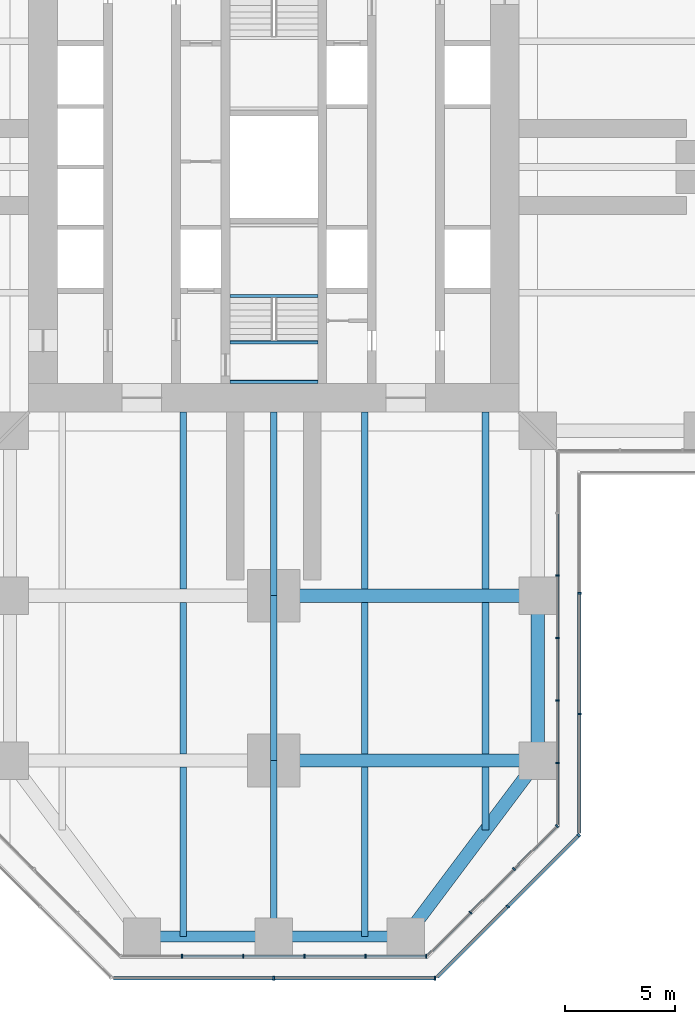
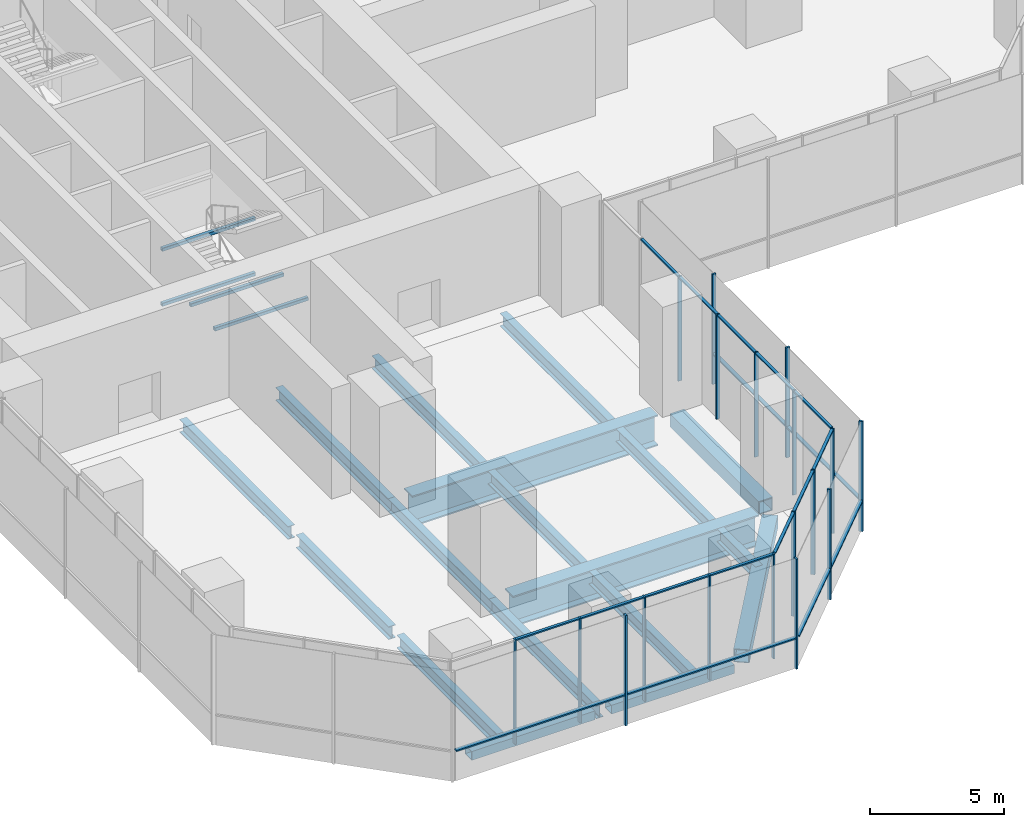
# One storey, part 5 of 23: 36 members, 22 beams, 6 elements without a shape of their own.
"""IFC4 building model written with IfcOpenShell, lengths in metres."""

from ifc_helpers import new_model, si_unit, direction, frame, origin, origin_2d, place, context, subcontext, project, spatial, rectangle, hollow_rectangle, i_section, extrude, material, material_profile, profile_set, type_object, element, aggregate, save


model = new_model("IFC4")

# Units and contexts
model_context = context("Model", 3, precision=1e-05, world=origin(), true_north=direction((0.0, 1.0)))
body_context = subcontext(model_context, "Body", "Model", "MODEL_VIEW")
ifc_project = project(units=[si_unit("LENGTHUNIT", "METRE"), si_unit("AREAUNIT", "SQUARE_METRE"), si_unit("VOLUMEUNIT", "CUBIC_METRE"), si_unit("PLANEANGLEUNIT", "RADIAN"), si_unit("MASSUNIT", "GRAM", prefix="KILO")], contexts=[model_context])

# Site, building, storey
site_placement = place(None, origin())
site = spatial("IfcSite", under=ifc_project, at=site_placement, CompositionType="ELEMENT")
building_placement = place(site_placement, origin())
building = spatial("IfcBuilding", under=site, at=building_placement, Name="Mizan Broadcast Tower", CompositionType="ELEMENT")
storey_placement = place(building_placement, frame((0.0, 0.0, 23.0)))
storey = spatial("IfcBuildingStorey", under=building, at=storey_placement, Name="L03", CompositionType="ELEMENT", Elevation=23.0)

# Beams
ifc_material_1 = material(Name="Steel S355", Category="steel")
ifc_material_profile_1 = material_profile(ifc_material_1, hollow_rectangle(XDim=0.5, YDim=0.39990234375, WallThickness=0.02490234375, at=origin_2d()), Name="BOX 400x500x25")
ifc_profile_set_1 = profile_set([ifc_material_profile_1], Name="Steel S355")
beam_type_1 = type_object("IfcBeamType", Name="EDGE BEAM BOX 400x500x25", PredefinedType="SPANDREL", material=ifc_profile_set_1)
for number, where, z_axis, x_axis, name in (
    (1, (-5.639892578125, -35.0, -0.449951171875), (1.0, 0.0, 0.0), (0.0, 1.0, 0.0), "Edge beam BOX 400x500x25 L03 south arm"),
    (2, (5.639892578125, -35.0, -0.449951171875), (-1.0, 0.0, 0.0), (0.0, -1.0, 0.0), "Edge beam BOX 400x500x25 L03 south arm"),
):
    element("IfcBeam", number, at=place(storey_placement, frame(where, z_axis=z_axis, x_axis=x_axis)), inside=storey, type_object=beam_type_1, Name=name, PredefinedType="SPANDREL", context=body_context, shape_type="SweptSolid", body=[
        extrude(hollow_rectangle(XDim=0.5, YDim=0.39990234375, WallThickness=0.02490234375, at=origin_2d()), origin(), (0.0, 0.0, 1.0), 5.27978515625),
    ])
ifc_material_2 = material(Name="Steel S355", Category="steel")
ifc_material_profile_2 = material_profile(ifc_material_2, hollow_rectangle(XDim=0.60009765625, YDim=0.60009765625, WallThickness=0.030029296875, at=origin_2d()), Name="BOX 600x600x30")
ifc_profile_set_2 = profile_set([ifc_material_profile_2], Name="Steel S355")
beam_type_2 = type_object("IfcBeamType", Name="EDGE BEAM BOX 600x600x30", PredefinedType="SPANDREL", material=ifc_profile_set_2)
beam_1_placement = place(storey_placement, frame((11.639892578125, -27.47998046875, -0.550048828125), z_axis=(-0.599982243973, -0.800013316712, 0.0), x_axis=(0.800013316712, -0.599982243973, 0.0)))
element("IfcBeam", 3, at=beam_1_placement, inside=storey, type_object=beam_type_2, Name="Edge beam BOX 600x600x30 L03 south arm", PredefinedType="SPANDREL", context=body_context, shape_type="SweptSolid", body=[
    extrude(hollow_rectangle(XDim=0.60009765625, YDim=0.60009765625, WallThickness=0.030029296875, at=origin_2d()), origin(), (0.0, 0.0, 1.0), 8.7998046875),
])
ifc_material_3 = material(Name="Steel S355", Category="steel")
ifc_material_profile_3 = material_profile(ifc_material_3, hollow_rectangle(XDim=0.60009765625, YDim=0.60009765625, WallThickness=0.0400390625, at=origin_2d()), Name="BOX 600x600x40")
ifc_profile_set_3 = profile_set([ifc_material_profile_3], Name="Steel S355")
beam_type_3 = type_object("IfcBeamType", Name="EDGE BEAM BOX 600x600x40", PredefinedType="SPANDREL", material=ifc_profile_set_3)
beam_2_placement = place(storey_placement, frame((12.0, -19.949951171875, -0.550048828125), z_axis=(0.0, -1.0, 0.0), x_axis=(1.0, 0.0, 0.0)))
element("IfcBeam", 4, at=beam_2_placement, inside=storey, type_object=beam_type_3, Name="Edge beam BOX 600x600x40 L03 south arm", PredefinedType="SPANDREL", context=body_context, shape_type="SweptSolid", body=[
    extrude(hollow_rectangle(XDim=0.60009765625, YDim=0.60009765625, WallThickness=0.0400390625, at=origin_2d()), origin(), (0.0, 0.0, 1.0), 6.60009765625),
])
ifc_material_4 = material(Name="Steel S460", Category="steel")
ifc_material_profile_4 = material_profile(ifc_material_4, i_section(OverallWidth=0.60009765625, OverallDepth=1.39990234375, WebThickness=0.02490234375, FlangeThickness=0.06005859375, at=origin_2d()), Name="WPG 1400x600")
ifc_profile_set_4 = profile_set([ifc_material_profile_4], Name="Steel S460")
beam_type_4 = type_object("IfcBeamType", Name="GIRDER WPG 1400x600", PredefinedType="BEAM", material=ifc_profile_set_4)
for number, where, z_axis, x_axis, name in (
    (5, (0.719970703125, -19.5, -0.949951171875), (1.0, 0.0, 0.0), (0.0, 1.0, 0.0), "Girder WPG 1400x600 L03 south arm"),
    (6, (0.719970703125, -27.0, -0.949951171875), (1.0, 0.0, 0.0), (0.0, 1.0, 0.0), "Girder WPG 1400x600 L03 south arm"),
):
    element("IfcBeam", number, at=place(storey_placement, frame(where, z_axis=z_axis, x_axis=x_axis)), inside=storey, type_object=beam_type_4, Name=name, PredefinedType="BEAM", context=body_context, shape_type="SweptSolid", body=[
        extrude(i_section(OverallWidth=0.60009765625, OverallDepth=1.39990234375, WebThickness=0.02490234375, FlangeThickness=0.06005859375, at=origin_2d()), origin(), (0.0, 0.0, 1.0), 10.56005859375),
    ])

# Curtain wall, members
ifc_material_5 = material(Name="Aluminium framed glazing", Category="aluminium")
curtain_wall_type_1 = type_object("IfcCurtainWallType", Name="PODIUM CURTAIN WALL", PredefinedType="USERDEFINED", material=ifc_material_5)
curtain_wall_1_placement = place(storey_placement, origin())
curtain_wall_1 = element("IfcCurtainWall", 7, at=curtain_wall_1_placement, inside=storey, type_object=curtain_wall_type_1, Name="Podium curtain wall L03 S end", ObjectType="PODIUM CURTAIN WALL", PredefinedType="USERDEFINED")
ifc_material_6 = material(Name="Aluminium, pale anodised", Category="aluminium")
ifc_material_profile_5 = material_profile(ifc_material_6, rectangle(XDim=0.159912109375, YDim=0.06005859375, at=origin_2d()), Name="MULLION 160x60")
ifc_profile_set_5 = profile_set([ifc_material_profile_5], Name="Aluminium, pale anodised")
member_type_1 = type_object("IfcMemberType", Name="INNER SKIN MULLION 60x160", PredefinedType="MULLION", material=ifc_profile_set_5)
member_1_placement = place(storey_placement, frame((-4.175048828125, -35.89990234375, 0.0), z_axis=(0.0, 0.0, 1.0), x_axis=(0.0, 1.0, 0.0)))
member_1 = element("IfcMember", 8, at=member_1_placement, type_object=member_type_1, Name="Podium curtain wall L03 S end mullion 2", PredefinedType="MULLION", context=body_context, shape_type="SweptSolid", body=[
    extrude(rectangle(XDim=0.159912109375, YDim=0.06005859375, at=origin_2d()), origin(), (0.0, 0.0, 1.0), 4.75),
])
member_2_placement = place(storey_placement, frame((-1.3916015625, -35.89990234375, 0.0), z_axis=(0.0, 0.0, 1.0), x_axis=(0.0, 1.0, 0.0)))
member_2 = element("IfcMember", 9, at=member_2_placement, type_object=member_type_1, Name="Podium curtain wall L03 S end mullion 3", PredefinedType="MULLION", context=body_context, shape_type="SweptSolid", body=[
    extrude(rectangle(XDim=0.159912109375, YDim=0.06005859375, at=origin_2d()), origin(), (0.0, 0.0, 1.0), 4.75),
])
member_3_placement = place(storey_placement, frame((1.3916015625, -35.89990234375, 0.0), z_axis=(0.0, 0.0, 1.0), x_axis=(0.0, 1.0, 0.0)))
member_3 = element("IfcMember", 10, at=member_3_placement, type_object=member_type_1, Name="Podium curtain wall L03 S end mullion 4", PredefinedType="MULLION", context=body_context, shape_type="SweptSolid", body=[
    extrude(rectangle(XDim=0.159912109375, YDim=0.06005859375, at=origin_2d()), origin(), (0.0, 0.0, 1.0), 4.75),
])
member_4_placement = place(storey_placement, frame((4.175048828125, -35.89990234375, 0.0), z_axis=(0.0, 0.0, 1.0), x_axis=(0.0, 1.0, 0.0)))
member_4 = element("IfcMember", 11, at=member_4_placement, type_object=member_type_1, Name="Podium curtain wall L03 S end mullion 5", PredefinedType="MULLION", context=body_context, shape_type="SweptSolid", body=[
    extrude(rectangle(XDim=0.159912109375, YDim=0.06005859375, at=origin_2d()), origin(), (0.0, 0.0, 1.0), 4.75),
])
member_5_placement = place(storey_placement, frame((6.928466796875, -35.89990234375, 0.0), z_axis=(0.0, 0.0, 1.0), x_axis=(0.0, 1.0, 0.0)))
member_5 = element("IfcMember", 12, at=member_5_placement, type_object=member_type_1, Name="Podium curtain wall L03 S end mullion 6", PredefinedType="MULLION", context=body_context, shape_type="SweptSolid", body=[
    extrude(rectangle(XDim=0.159912109375, YDim=0.06005859375, at=origin_2d()), origin(), (0.0, 0.0, 1.0), 4.75),
])

curtain_wall_2_placement = place(storey_placement, origin())
curtain_wall_2 = element("IfcCurtainWall", 13, at=curtain_wall_2_placement, inside=storey, type_object=curtain_wall_type_1, Name="Podium curtain wall L03 S chamfer", ObjectType="PODIUM CURTAIN WALL", PredefinedType="USERDEFINED")
member_6_placement = place(storey_placement, frame((8.93896484375, -33.91943359375, 0.0), z_axis=(0.0, 0.0, 1.0), x_axis=(-0.707106781187, 0.707106781187, 0.0)))
member_6 = element("IfcMember", 14, at=member_6_placement, type_object=member_type_1, Name="Podium curtain wall L03 S chamfer mullion 2", PredefinedType="MULLION", context=body_context, shape_type="SweptSolid", body=[
    extrude(rectangle(XDim=0.159912109375, YDim=0.06005859375, at=origin_2d()), origin(), (0.0, 0.0, 1.0), 4.75),
])
member_7_placement = place(storey_placement, frame((10.91943359375, -31.93896484375, 0.0), z_axis=(0.0, 0.0, 1.0), x_axis=(-0.707106781187, 0.707106781187, 0.0)))
member_7 = element("IfcMember", 15, at=member_7_placement, type_object=member_type_1, Name="Podium curtain wall L03 S chamfer mullion 3", PredefinedType="MULLION", context=body_context, shape_type="SweptSolid", body=[
    extrude(rectangle(XDim=0.159912109375, YDim=0.06005859375, at=origin_2d()), origin(), (0.0, 0.0, 1.0), 4.75),
])
member_8_placement = place(storey_placement, frame((12.87890625, -29.979736328125, 0.0), z_axis=(0.0, 0.0, 1.0), x_axis=(-0.707106781187, 0.707106781187, 0.0)))
member_8 = element("IfcMember", 16, at=member_8_placement, type_object=member_type_1, Name="Podium curtain wall L03 S chamfer mullion 4", PredefinedType="MULLION", context=body_context, shape_type="SweptSolid", body=[
    extrude(rectangle(XDim=0.159912109375, YDim=0.06005859375, at=origin_2d()), origin(), (0.0, 0.0, 1.0), 4.75),
])

curtain_wall_3_placement = place(storey_placement, origin())
curtain_wall_3 = element("IfcCurtainWall", 17, at=curtain_wall_3_placement, inside=storey, type_object=curtain_wall_type_1, Name="Podium curtain wall L03 S side", ObjectType="PODIUM CURTAIN WALL", PredefinedType="USERDEFINED")
member_9_placement = place(storey_placement, frame((12.89990234375, -27.115478515625, 0.0), z_axis=(0.0, 0.0, 1.0), x_axis=(-1.0, 0.0, 0.0)))
member_9 = element("IfcMember", 18, at=member_9_placement, type_object=member_type_1, Name="Podium curtain wall L03 S side mullion 2", PredefinedType="MULLION", context=body_context, shape_type="SweptSolid", body=[
    extrude(rectangle(XDim=0.159912109375, YDim=0.06005859375, at=origin_2d()), origin(), (0.0, 0.0, 1.0), 4.75),
])
member_10_placement = place(storey_placement, frame((12.89990234375, -24.2724609375, 0.0), z_axis=(0.0, 0.0, 1.0), x_axis=(-1.0, 0.0, 0.0)))
member_10 = element("IfcMember", 19, at=member_10_placement, type_object=member_type_1, Name="Podium curtain wall L03 S side mullion 3", PredefinedType="MULLION", context=body_context, shape_type="SweptSolid", body=[
    extrude(rectangle(XDim=0.159912109375, YDim=0.06005859375, at=origin_2d()), origin(), (0.0, 0.0, 1.0), 4.75),
])
member_11_placement = place(storey_placement, frame((12.89990234375, -21.42919921875, 0.0), z_axis=(0.0, 0.0, 1.0), x_axis=(-1.0, 0.0, 0.0)))
member_11 = element("IfcMember", 20, at=member_11_placement, type_object=member_type_1, Name="Podium curtain wall L03 S side mullion 4", PredefinedType="MULLION", context=body_context, shape_type="SweptSolid", body=[
    extrude(rectangle(XDim=0.159912109375, YDim=0.06005859375, at=origin_2d()), origin(), (0.0, 0.0, 1.0), 4.75),
])
member_12_placement = place(storey_placement, frame((12.89990234375, -18.586181640625, 0.0), z_axis=(0.0, 0.0, 1.0), x_axis=(-1.0, 0.0, 0.0)))
member_12 = element("IfcMember", 21, at=member_12_placement, type_object=member_type_1, Name="Podium curtain wall L03 S side mullion 5", PredefinedType="MULLION", context=body_context, shape_type="SweptSolid", body=[
    extrude(rectangle(XDim=0.159912109375, YDim=0.06005859375, at=origin_2d()), origin(), (0.0, 0.0, 1.0), 4.75),
])

# Member
ifc_material_7 = material(Name="Aluminium, pale anodised", Category="aluminium")
ifc_material_profile_6 = material_profile(ifc_material_7, rectangle(XDim=0.1201171875, YDim=0.06005859375, at=origin_2d()), Name="TRANSOM 120x60")
ifc_profile_set_6 = profile_set([ifc_material_profile_6], Name="Aluminium, pale anodised")
member_type_2 = type_object("IfcMemberType", Name="INNER SKIN TRANSOM 60x120", PredefinedType="USERDEFINED", material=ifc_profile_set_6)
member_13_placement = place(storey_placement, frame((-4.145263671875, -35.89990234375, 4.719970703125), z_axis=(1.0, 0.0, 0.0), x_axis=(0.0, 1.0, 0.0)))
member_13 = element("IfcMember", 22, at=member_13_placement, type_object=member_type_2, Name="Podium curtain wall L03 S end transom 2.1", ObjectType="TRANSOM", PredefinedType="USERDEFINED", context=body_context, shape_type="SweptSolid", body=[
    extrude(rectangle(XDim=0.1201171875, YDim=0.06005859375, at=origin_2d()), origin(), (0.0, 0.0, 1.0), 2.7236328125),
])

member_14_placement = place(storey_placement, frame((-1.36181640625, -35.89990234375, 4.719970703125), z_axis=(1.0, 0.0, 0.0), x_axis=(0.0, 1.0, 0.0)))
member_14 = element("IfcMember", 23, at=member_14_placement, type_object=member_type_2, Name="Podium curtain wall L03 S end transom 3.1", ObjectType="TRANSOM", PredefinedType="USERDEFINED", context=body_context, shape_type="SweptSolid", body=[
    extrude(rectangle(XDim=0.1201171875, YDim=0.06005859375, at=origin_2d()), origin(), (0.0, 0.0, 1.0), 2.7236328125),
])

member_15_placement = place(storey_placement, frame((1.421630859375, -35.89990234375, 4.719970703125), z_axis=(1.0, 0.0, 0.0), x_axis=(0.0, 1.0, 0.0)))
member_15 = element("IfcMember", 24, at=member_15_placement, type_object=member_type_2, Name="Podium curtain wall L03 S end transom 4.1", ObjectType="TRANSOM", PredefinedType="USERDEFINED", context=body_context, shape_type="SweptSolid", body=[
    extrude(rectangle(XDim=0.1201171875, YDim=0.06005859375, at=origin_2d()), origin(), (0.0, 0.0, 1.0), 2.7236328125),
])

member_16_placement = place(storey_placement, frame((4.205078125, -35.89990234375, 4.719970703125), z_axis=(1.0, 0.0, 0.0), x_axis=(0.0, 1.0, 0.0)))
member_16 = element("IfcMember", 25, at=member_16_placement, type_object=member_type_2, Name="Podium curtain wall L03 S end transom 5.1", ObjectType="TRANSOM", PredefinedType="USERDEFINED", context=body_context, shape_type="SweptSolid", body=[
    extrude(rectangle(XDim=0.1201171875, YDim=0.06005859375, at=origin_2d()), origin(), (0.0, 0.0, 1.0), 2.693603515625),
])

aggregate(curtain_wall_1, [member_1, member_2, member_3, member_4, member_5, member_13, member_14, member_15, member_16])

member_17_placement = place(storey_placement, frame((7.0009765625, -35.857666015625, 4.719970703125), z_axis=(0.707061749709, 0.707151809797, 0.0), x_axis=(-0.707151809797, 0.707061749709, 0.0)))
member_17 = element("IfcMember", 26, at=member_17_placement, type_object=member_type_2, Name="Podium curtain wall L03 S chamfer transom 1.1", ObjectType="TRANSOM", PredefinedType="USERDEFINED", context=body_context, shape_type="SweptSolid", body=[
    extrude(rectangle(XDim=0.1201171875, YDim=0.06005859375, at=origin_2d()), origin(), (0.0, 0.0, 1.0), 2.7109375),
])

member_18_placement = place(storey_placement, frame((8.960205078125, -33.898193359375, 4.719970703125), z_axis=(0.707106781187, 0.707106781187, 0.0), x_axis=(-0.707106781187, 0.707106781187, 0.0)))
member_18 = element("IfcMember", 27, at=member_18_placement, type_object=member_type_2, Name="Podium curtain wall L03 S chamfer transom 2.1", ObjectType="TRANSOM", PredefinedType="USERDEFINED", context=body_context, shape_type="SweptSolid", body=[
    extrude(rectangle(XDim=0.1201171875, YDim=0.06005859375, at=origin_2d()), origin(), (0.0, 0.0, 1.0), 2.74072265625),
])

member_19_placement = place(storey_placement, frame((10.940673828125, -31.917724609375, 4.719970703125), z_axis=(0.707151809797, 0.707061749709, 0.0), x_axis=(-0.707061749709, 0.707151809797, 0.0)))
member_19 = element("IfcMember", 28, at=member_19_placement, type_object=member_type_2, Name="Podium curtain wall L03 S chamfer transom 3.1", ObjectType="TRANSOM", PredefinedType="USERDEFINED", context=body_context, shape_type="SweptSolid", body=[
    extrude(rectangle(XDim=0.1201171875, YDim=0.06005859375, at=origin_2d()), origin(), (0.0, 0.0, 1.0), 2.7109375),
])

aggregate(curtain_wall_2, [member_6, member_7, member_8, member_17, member_18, member_19])

member_20_placement = place(storey_placement, frame((12.89990234375, -29.898681640625, 4.719970703125), z_axis=(0.0, 1.0, 0.0), x_axis=(-1.0, 0.0, 0.0)))
member_20 = element("IfcMember", 29, at=member_20_placement, type_object=member_type_2, Name="Podium curtain wall L03 S side transom 1.1", ObjectType="TRANSOM", PredefinedType="USERDEFINED", context=body_context, shape_type="SweptSolid", body=[
    extrude(rectangle(XDim=0.1201171875, YDim=0.06005859375, at=origin_2d()), origin(), (0.0, 0.0, 1.0), 2.753173828125),
])

member_21_placement = place(storey_placement, frame((12.89990234375, -27.08544921875, 4.719970703125), z_axis=(0.0, 1.0, 0.0), x_axis=(-1.0, 0.0, 0.0)))
member_21 = element("IfcMember", 30, at=member_21_placement, type_object=member_type_2, Name="Podium curtain wall L03 S side transom 2.1", ObjectType="TRANSOM", PredefinedType="USERDEFINED", context=body_context, shape_type="SweptSolid", body=[
    extrude(rectangle(XDim=0.1201171875, YDim=0.06005859375, at=origin_2d()), origin(), (0.0, 0.0, 1.0), 2.782958984375),
])

member_22_placement = place(storey_placement, frame((12.89990234375, -24.242431640625, 4.719970703125), z_axis=(0.0, 1.0, 0.0), x_axis=(-1.0, 0.0, 0.0)))
member_22 = element("IfcMember", 31, at=member_22_placement, type_object=member_type_2, Name="Podium curtain wall L03 S side transom 3.1", ObjectType="TRANSOM", PredefinedType="USERDEFINED", context=body_context, shape_type="SweptSolid", body=[
    extrude(rectangle(XDim=0.1201171875, YDim=0.06005859375, at=origin_2d()), origin(), (0.0, 0.0, 1.0), 2.783203125),
])

member_23_placement = place(storey_placement, frame((12.89990234375, -21.399169921875, 4.719970703125), z_axis=(0.0, 1.0, 0.0), x_axis=(-1.0, 0.0, 0.0)))
member_23 = element("IfcMember", 32, at=member_23_placement, type_object=member_type_2, Name="Podium curtain wall L03 S side transom 4.1", ObjectType="TRANSOM", PredefinedType="USERDEFINED", context=body_context, shape_type="SweptSolid", body=[
    extrude(rectangle(XDim=0.1201171875, YDim=0.06005859375, at=origin_2d()), origin(), (0.0, 0.0, 1.0), 2.782958984375),
])

member_24_placement = place(storey_placement, frame((12.89990234375, -18.55615234375, 4.719970703125), z_axis=(0.0, 1.0, 0.0), x_axis=(-1.0, 0.0, 0.0)))
member_24 = element("IfcMember", 33, at=member_24_placement, type_object=member_type_2, Name="Podium curtain wall L03 S side transom 5.1", ObjectType="TRANSOM", PredefinedType="USERDEFINED", context=body_context, shape_type="SweptSolid", body=[
    extrude(rectangle(XDim=0.1201171875, YDim=0.06005859375, at=origin_2d()), origin(), (0.0, 0.0, 1.0), 2.782958984375),
])

aggregate(curtain_wall_3, [member_9, member_10, member_11, member_12, member_20, member_21, member_22, member_23, member_24])

# Beams
ifc_material_8 = material(Name="Steel S355", Category="steel")
ifc_material_profile_7 = material_profile(ifc_material_8, hollow_rectangle(XDim=0.14990234375, YDim=0.14990234375, WallThickness=0.008056640625, InnerFilletRadius=0.008056640625, OuterFilletRadius=0.011962890625, at=origin_2d()), Name="SHS 150x150x8")
ifc_profile_set_7 = profile_set([ifc_material_profile_7], Name="Steel S355")
beam_type_5 = type_object("IfcBeamType", Name="LANDING TRIMMER SHS 150x150x8", PredefinedType="BEAM", material=ifc_profile_set_7)
for number, where, z_axis, x_axis, name in (
    (34, (-2.0, -5.864990234375, 0.97509765625), (1.0, 0.0, 0.0), (0.0, 1.0, 0.0), "Stair A landing trimmer L03"),
    (35, (-2.0, -9.77490234375, 2.22509765625), (1.0, 0.0, 0.0), (0.0, 1.0, 0.0), "Stair A landing trimmer L03"),
    (36, (-2.0, -7.97509765625, 2.22509765625), (1.0, 0.0, 0.0), (0.0, 1.0, 0.0), "Stair A landing trimmer L03"),
    (37, (-2.0, -5.864990234375, 3.47509765625), (1.0, 0.0, 0.0), (0.0, 1.0, 0.0), "Stair A landing trimmer L03"),
):
    element("IfcBeam", number, at=place(storey_placement, frame(where, z_axis=z_axis, x_axis=x_axis)), inside=storey, type_object=beam_type_5, Name=name, PredefinedType="BEAM", context=body_context, shape_type="SweptSolid", body=[
        extrude(hollow_rectangle(XDim=0.14990234375, YDim=0.14990234375, WallThickness=0.008056640625, InnerFilletRadius=0.008056640625, OuterFilletRadius=0.011962890625, at=origin_2d()), origin(), (0.0, 0.0, 1.0), 4.0),
    ])

# Curtain wall, members
ifc_material_9 = material(Name="Aluminium framed glazing", Category="aluminium")
curtain_wall_type_2 = type_object("IfcCurtainWallType", Name="OUTER SKIN", PredefinedType="USERDEFINED", material=ifc_material_9)
curtain_wall_4_placement = place(storey_placement, origin())
curtain_wall_4 = element("IfcCurtainWall", 38, at=curtain_wall_4_placement, inside=storey, type_object=curtain_wall_type_2, Name="Outer skin L03 S end", ObjectType="OUTER SKIN", PredefinedType="USERDEFINED")
ifc_material_10 = material(Name="Aluminium, pale anodised", Category="aluminium")
ifc_material_profile_8 = material_profile(ifc_material_10, rectangle(XDim=0.159912109375, YDim=0.080078125, at=origin_2d()), Name="MULLION 160x80")
ifc_profile_set_8 = profile_set([ifc_material_profile_8], Name="Aluminium, pale anodised")
member_type_3 = type_object("IfcMemberType", Name="OUTER SKIN MULLION 80x160", PredefinedType="MULLION", material=ifc_profile_set_8)
member_25_placement = place(storey_placement, frame((0.0, -36.89990234375, 0.0), z_axis=(0.0, 0.0, 1.0), x_axis=(0.0, 1.0, 0.0)))
member_25 = element("IfcMember", 39, at=member_25_placement, type_object=member_type_3, Name="Outer skin L03 S end mullion 2", PredefinedType="MULLION", context=body_context, shape_type="SweptSolid", body=[
    extrude(rectangle(XDim=0.159912109375, YDim=0.080078125, at=origin_2d()), origin(), (0.0, 0.0, 1.0), 5.0),
])
member_26_placement = place(storey_placement, frame((7.332763671875, -36.89990234375, 0.0), z_axis=(0.0, 0.0, 1.0), x_axis=(0.0, 1.0, 0.0)))
member_26 = element("IfcMember", 40, at=member_26_placement, type_object=member_type_3, Name="Outer skin L03 S end mullion 3", PredefinedType="MULLION", context=body_context, shape_type="SweptSolid", body=[
    extrude(rectangle(XDim=0.159912109375, YDim=0.080078125, at=origin_2d()), origin(), (0.0, 0.0, 1.0), 5.0),
])

curtain_wall_5_placement = place(storey_placement, origin())
curtain_wall_5 = element("IfcCurtainWall", 41, at=curtain_wall_5_placement, inside=storey, type_object=curtain_wall_type_2, Name="Outer skin L03 S chamfer", ObjectType="OUTER SKIN", PredefinedType="USERDEFINED")
member_27_placement = place(storey_placement, frame((10.636474609375, -33.636474609375, 0.0), z_axis=(0.0, 0.0, 1.0), x_axis=(-0.707106781187, 0.707106781187, 0.0)))
member_27 = element("IfcMember", 42, at=member_27_placement, type_object=member_type_3, Name="Outer skin L03 S chamfer mullion 2", PredefinedType="MULLION", context=body_context, shape_type="SweptSolid", body=[
    extrude(rectangle(XDim=0.159912109375, YDim=0.080078125, at=origin_2d()), origin(), (0.0, 0.0, 1.0), 5.0),
])
member_28_placement = place(storey_placement, frame((13.871826171875, -30.401123046875, 0.0), z_axis=(0.0, 0.0, 1.0), x_axis=(-0.707106781187, 0.707106781187, 0.0)))
member_28 = element("IfcMember", 43, at=member_28_placement, type_object=member_type_3, Name="Outer skin L03 S chamfer mullion 3", PredefinedType="MULLION", context=body_context, shape_type="SweptSolid", body=[
    extrude(rectangle(XDim=0.159912109375, YDim=0.080078125, at=origin_2d()), origin(), (0.0, 0.0, 1.0), 5.0),
])

curtain_wall_6_placement = place(storey_placement, origin())
curtain_wall_6 = element("IfcCurtainWall", 44, at=curtain_wall_6_placement, inside=storey, type_object=curtain_wall_type_2, Name="Outer skin L03 S side", ObjectType="OUTER SKIN", PredefinedType="USERDEFINED")
member_29_placement = place(storey_placement, frame((13.89990234375, -24.8818359375, 0.0), z_axis=(0.0, 0.0, 1.0), x_axis=(-1.0, 0.0, 0.0)))
member_29 = element("IfcMember", 45, at=member_29_placement, type_object=member_type_3, Name="Outer skin L03 S side mullion 2", PredefinedType="MULLION", context=body_context, shape_type="SweptSolid", body=[
    extrude(rectangle(XDim=0.159912109375, YDim=0.080078125, at=origin_2d()), origin(), (0.0, 0.0, 1.0), 5.0),
])
member_30_placement = place(storey_placement, frame((13.89990234375, -19.390869140625, 0.0), z_axis=(0.0, 0.0, 1.0), x_axis=(-1.0, 0.0, 0.0)))
member_30 = element("IfcMember", 46, at=member_30_placement, type_object=member_type_3, Name="Outer skin L03 S side mullion 3", PredefinedType="MULLION", context=body_context, shape_type="SweptSolid", body=[
    extrude(rectangle(XDim=0.159912109375, YDim=0.080078125, at=origin_2d()), origin(), (0.0, 0.0, 1.0), 5.0),
])

# Member
ifc_material_11 = material(Name="Aluminium, pale anodised", Category="aluminium")
ifc_material_profile_9 = material_profile(ifc_material_11, rectangle(XDim=0.159912109375, YDim=0.06005859375, at=origin_2d()), Name="TRANSOM 160x60")
ifc_profile_set_9 = profile_set([ifc_material_profile_9], Name="Aluminium, pale anodised")
member_type_4 = type_object("IfcMemberType", Name="OUTER SKIN TRANSOM 60x160", PredefinedType="USERDEFINED", material=ifc_profile_set_9)
member_31_placement = place(storey_placement, frame((-7.292724609375, -36.89990234375, 1.39990234375), z_axis=(1.0, 0.0, 0.0), x_axis=(0.0, 1.0, 0.0)))
member_31 = element("IfcMember", 47, at=member_31_placement, type_object=member_type_4, Name="Outer skin L03 S end transom 1.1", ObjectType="TRANSOM", PredefinedType="USERDEFINED", context=body_context, shape_type="SweptSolid", body=[
    extrude(rectangle(XDim=0.159912109375, YDim=0.06005859375, at=origin_2d()), origin(), (0.0, 0.0, 1.0), 7.252685546875),
])

member_32_placement = place(storey_placement, frame((0.0400390625, -36.89990234375, 1.39990234375), z_axis=(1.0, 0.0, 0.0), x_axis=(0.0, 1.0, 0.0)))
member_32 = element("IfcMember", 48, at=member_32_placement, type_object=member_type_4, Name="Outer skin L03 S end transom 2.1", ObjectType="TRANSOM", PredefinedType="USERDEFINED", context=body_context, shape_type="SweptSolid", body=[
    extrude(rectangle(XDim=0.159912109375, YDim=0.06005859375, at=origin_2d()), origin(), (0.0, 0.0, 1.0), 7.252685546875),
])

aggregate(curtain_wall_4, [member_25, member_26, member_31, member_32])

member_33_placement = place(storey_placement, frame((7.429443359375, -36.843505859375, 1.39990234375), z_axis=(0.707106781187, 0.707106781187, 0.0), x_axis=(-0.707106781187, 0.707106781187, 0.0)))
member_33 = element("IfcMember", 49, at=member_33_placement, type_object=member_type_4, Name="Outer skin L03 S chamfer transom 1.1", ObjectType="TRANSOM", PredefinedType="USERDEFINED", context=body_context, shape_type="SweptSolid", body=[
    extrude(rectangle(XDim=0.159912109375, YDim=0.06005859375, at=origin_2d()), origin(), (0.0, 0.0, 1.0), 4.495361328125),
])

member_34_placement = place(storey_placement, frame((10.664794921875, -33.608154296875, 1.39990234375), z_axis=(0.707106781187, 0.707106781187, 0.0), x_axis=(-0.707106781187, 0.707106781187, 0.0)))
member_34 = element("IfcMember", 50, at=member_34_placement, type_object=member_type_4, Name="Outer skin L03 S chamfer transom 2.1", ObjectType="TRANSOM", PredefinedType="USERDEFINED", context=body_context, shape_type="SweptSolid", body=[
    extrude(rectangle(XDim=0.159912109375, YDim=0.06005859375, at=origin_2d()), origin(), (0.0, 0.0, 1.0), 4.495361328125),
])

aggregate(curtain_wall_5, [member_27, member_28, member_33, member_34])

member_35_placement = place(storey_placement, frame((13.89990234375, -30.292724609375, 1.39990234375), z_axis=(0.0, 1.0, 0.0), x_axis=(-1.0, 0.0, 0.0)))
member_35 = element("IfcMember", 51, at=member_35_placement, type_object=member_type_4, Name="Outer skin L03 S side transom 1.1", ObjectType="TRANSOM", PredefinedType="USERDEFINED", context=body_context, shape_type="SweptSolid", body=[
    extrude(rectangle(XDim=0.159912109375, YDim=0.06005859375, at=origin_2d()), origin(), (0.0, 0.0, 1.0), 5.370849609375),
])

member_36_placement = place(storey_placement, frame((13.89990234375, -24.841796875, 1.39990234375), z_axis=(0.0, 1.0, 0.0), x_axis=(-1.0, 0.0, 0.0)))
member_36 = element("IfcMember", 52, at=member_36_placement, type_object=member_type_4, Name="Outer skin L03 S side transom 2.1", ObjectType="TRANSOM", PredefinedType="USERDEFINED", context=body_context, shape_type="SweptSolid", body=[
    extrude(rectangle(XDim=0.159912109375, YDim=0.06005859375, at=origin_2d()), origin(), (0.0, 0.0, 1.0), 5.410888671875),
])

aggregate(curtain_wall_6, [member_29, member_30, member_35, member_36])

# Beams
ifc_material_12 = material(Name="Steel S355", Category="steel")
ifc_material_profile_10 = material_profile(ifc_material_12, i_section(OverallWidth=0.300048828125, OverallDepth=0.590087890625, WebThickness=0.012939453125, FlangeThickness=0.02490234375, FilletRadius=0.027099609375, at=origin_2d()), Name="HEA 600")
ifc_profile_set_10 = profile_set([ifc_material_profile_10], Name="Steel S355")
beam_type_6 = type_object("IfcBeamType", Name="SECONDARY BEAM HEA 600", PredefinedType="JOIST", material=ifc_profile_set_10)
beam_3_placement = place(storey_placement, frame((-4.125, -11.14990234375, -0.544921875), z_axis=(0.0, -1.0, 0.0), x_axis=(1.0, 0.0, 0.0)))
element("IfcBeam", 53, at=beam_3_placement, inside=storey, type_object=beam_type_6, Name="Secondary beam HEA 600 L03 south arm", PredefinedType="JOIST", context=body_context, shape_type="SweptSolid", body=[
    extrude(i_section(OverallWidth=0.300048828125, OverallDepth=0.590087890625, WebThickness=0.012939453125, FlangeThickness=0.02490234375, FilletRadius=0.027099609375, at=origin_2d()), origin(), (0.0, 0.0, 1.0), 8.050048828125),
])
beam_4_placement = place(storey_placement, frame((-4.125, -19.800048828125, -0.544921875), z_axis=(0.0, -1.0, 0.0), x_axis=(1.0, 0.0, 0.0)))
element("IfcBeam", 54, at=beam_4_placement, inside=storey, type_object=beam_type_6, Name="Secondary beam HEA 600 L03 south arm", PredefinedType="JOIST", context=body_context, shape_type="SweptSolid", body=[
    extrude(i_section(OverallWidth=0.300048828125, OverallDepth=0.590087890625, WebThickness=0.012939453125, FlangeThickness=0.02490234375, FilletRadius=0.027099609375, at=origin_2d()), origin(), (0.0, 0.0, 1.0), 6.89990234375),
])
beam_5_placement = place(storey_placement, frame((-4.125, -27.300048828125, -0.544921875), z_axis=(0.0, -1.0, 0.0), x_axis=(1.0, 0.0, 0.0)))
element("IfcBeam", 55, at=beam_5_placement, inside=storey, type_object=beam_type_6, Name="Secondary beam HEA 600 L03 south arm", PredefinedType="JOIST", context=body_context, shape_type="SweptSolid", body=[
    extrude(i_section(OverallWidth=0.300048828125, OverallDepth=0.590087890625, WebThickness=0.012939453125, FlangeThickness=0.02490234375, FilletRadius=0.027099609375, at=origin_2d()), origin(), (0.0, 0.0, 1.0), 7.699951171875),
])
beam_6_placement = place(storey_placement, frame((0.0, -11.14990234375, -0.544921875), z_axis=(0.0, -1.0, 0.0), x_axis=(1.0, 0.0, 0.0)))
element("IfcBeam", 56, at=beam_6_placement, inside=storey, type_object=beam_type_6, Name="Secondary beam HEA 600 L03 south arm", PredefinedType="JOIST", context=body_context, shape_type="SweptSolid", body=[
    extrude(i_section(OverallWidth=0.300048828125, OverallDepth=0.590087890625, WebThickness=0.012939453125, FlangeThickness=0.02490234375, FilletRadius=0.027099609375, at=origin_2d()), origin(), (0.0, 0.0, 1.0), 8.35009765625),
])
beam_7_placement = place(storey_placement, frame((0.0, -19.5, -0.544921875), z_axis=(0.0, -1.0, 0.0), x_axis=(1.0, 0.0, 0.0)))
element("IfcBeam", 57, at=beam_7_placement, inside=storey, type_object=beam_type_6, Name="Secondary beam HEA 600 L03 south arm", PredefinedType="JOIST", context=body_context, shape_type="SweptSolid", body=[
    extrude(i_section(OverallWidth=0.300048828125, OverallDepth=0.590087890625, WebThickness=0.012939453125, FlangeThickness=0.02490234375, FilletRadius=0.027099609375, at=origin_2d()), origin(), (0.0, 0.0, 1.0), 7.5),
])
beam_8_placement = place(storey_placement, frame((0.0, -27.0, -0.544921875), z_axis=(0.0, -1.0, 0.0), x_axis=(1.0, 0.0, 0.0)))
element("IfcBeam", 58, at=beam_8_placement, inside=storey, type_object=beam_type_6, Name="Secondary beam HEA 600 L03 south arm", PredefinedType="JOIST", context=body_context, shape_type="SweptSolid", body=[
    extrude(i_section(OverallWidth=0.300048828125, OverallDepth=0.590087890625, WebThickness=0.012939453125, FlangeThickness=0.02490234375, FilletRadius=0.027099609375, at=origin_2d()), origin(), (0.0, 0.0, 1.0), 8.0),
])
beam_9_placement = place(storey_placement, frame((4.125, -11.14990234375, -0.544921875), z_axis=(0.0, -1.0, 0.0), x_axis=(1.0, 0.0, 0.0)))
element("IfcBeam", 59, at=beam_9_placement, inside=storey, type_object=beam_type_6, Name="Secondary beam HEA 600 L03 south arm", PredefinedType="JOIST", context=body_context, shape_type="SweptSolid", body=[
    extrude(i_section(OverallWidth=0.300048828125, OverallDepth=0.590087890625, WebThickness=0.012939453125, FlangeThickness=0.02490234375, FilletRadius=0.027099609375, at=origin_2d()), origin(), (0.0, 0.0, 1.0), 8.050048828125),
])
beam_10_placement = place(storey_placement, frame((4.125, -19.800048828125, -0.544921875), z_axis=(0.0, -1.0, 0.0), x_axis=(1.0, 0.0, 0.0)))
element("IfcBeam", 60, at=beam_10_placement, inside=storey, type_object=beam_type_6, Name="Secondary beam HEA 600 L03 south arm", PredefinedType="JOIST", context=body_context, shape_type="SweptSolid", body=[
    extrude(i_section(OverallWidth=0.300048828125, OverallDepth=0.590087890625, WebThickness=0.012939453125, FlangeThickness=0.02490234375, FilletRadius=0.027099609375, at=origin_2d()), origin(), (0.0, 0.0, 1.0), 6.89990234375),
])
beam_11_placement = place(storey_placement, frame((4.125, -27.300048828125, -0.544921875), z_axis=(0.0, -1.0, 0.0), x_axis=(1.0, 0.0, 0.0)))
element("IfcBeam", 61, at=beam_11_placement, inside=storey, type_object=beam_type_6, Name="Secondary beam HEA 600 L03 south arm", PredefinedType="JOIST", context=body_context, shape_type="SweptSolid", body=[
    extrude(i_section(OverallWidth=0.300048828125, OverallDepth=0.590087890625, WebThickness=0.012939453125, FlangeThickness=0.02490234375, FilletRadius=0.027099609375, at=origin_2d()), origin(), (0.0, 0.0, 1.0), 7.699951171875),
])
beam_12_placement = place(storey_placement, frame((9.625, -11.14990234375, -0.544921875), z_axis=(0.0, -1.0, 0.0), x_axis=(1.0, 0.0, 0.0)))
element("IfcBeam", 62, at=beam_12_placement, inside=storey, type_object=beam_type_6, Name="Secondary beam HEA 600 L03 south arm", PredefinedType="JOIST", context=body_context, shape_type="SweptSolid", body=[
    extrude(i_section(OverallWidth=0.300048828125, OverallDepth=0.590087890625, WebThickness=0.012939453125, FlangeThickness=0.02490234375, FilletRadius=0.027099609375, at=origin_2d()), origin(), (0.0, 0.0, 1.0), 8.050048828125),
])
beam_13_placement = place(storey_placement, frame((9.625, -19.800048828125, -0.544921875), z_axis=(0.0, -1.0, 0.0), x_axis=(1.0, 0.0, 0.0)))
element("IfcBeam", 63, at=beam_13_placement, inside=storey, type_object=beam_type_6, Name="Secondary beam HEA 600 L03 south arm", PredefinedType="JOIST", context=body_context, shape_type="SweptSolid", body=[
    extrude(i_section(OverallWidth=0.300048828125, OverallDepth=0.590087890625, WebThickness=0.012939453125, FlangeThickness=0.02490234375, FilletRadius=0.027099609375, at=origin_2d()), origin(), (0.0, 0.0, 1.0), 6.89990234375),
])
beam_14_placement = place(storey_placement, frame((9.625, -27.300048828125, -0.544921875), z_axis=(0.0, -1.0, 0.0), x_axis=(1.0, 0.0, 0.0)))
element("IfcBeam", 64, at=beam_14_placement, inside=storey, type_object=beam_type_6, Name="Secondary beam HEA 600 L03 south arm", PredefinedType="JOIST", context=body_context, shape_type="SweptSolid", body=[
    extrude(i_section(OverallWidth=0.300048828125, OverallDepth=0.590087890625, WebThickness=0.012939453125, FlangeThickness=0.02490234375, FilletRadius=0.027099609375, at=origin_2d()), origin(), (0.0, 0.0, 1.0), 2.86669921875),
])

save(model, "model.ifc")
